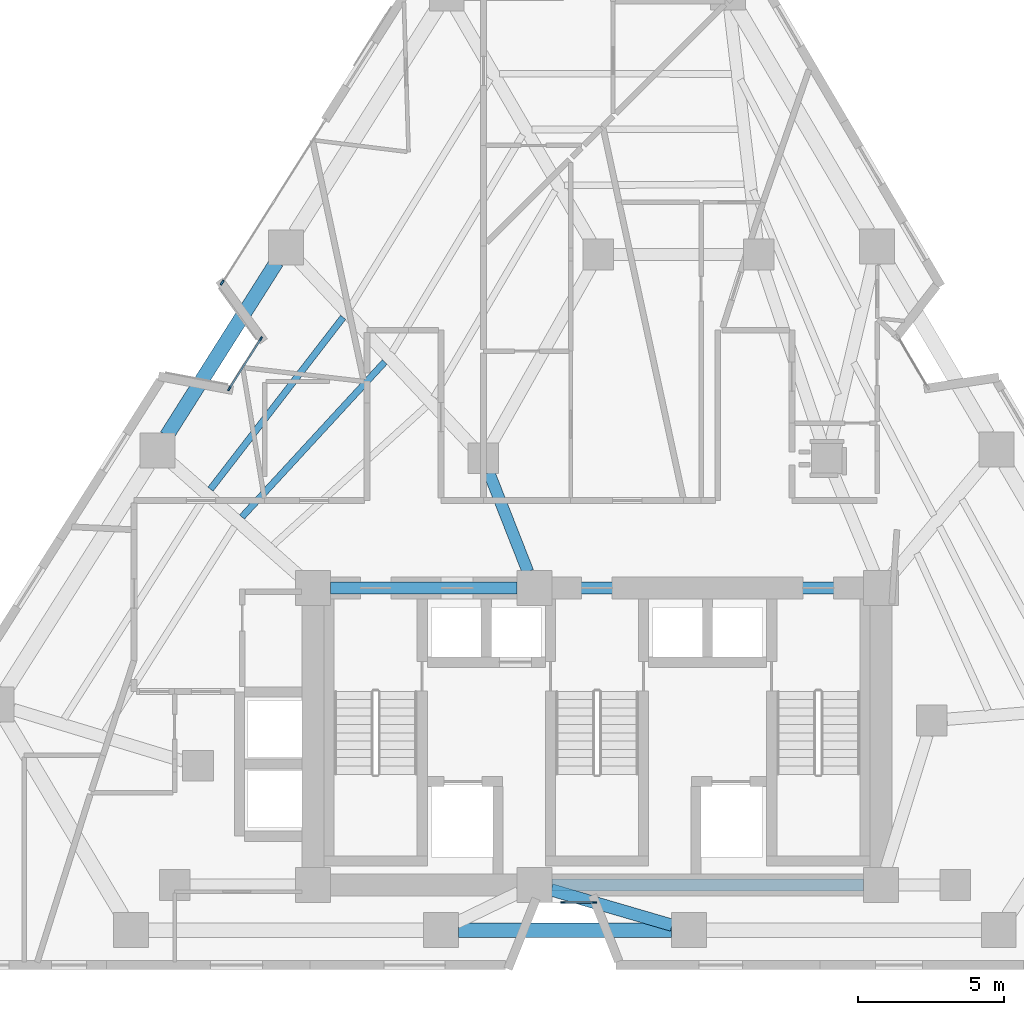
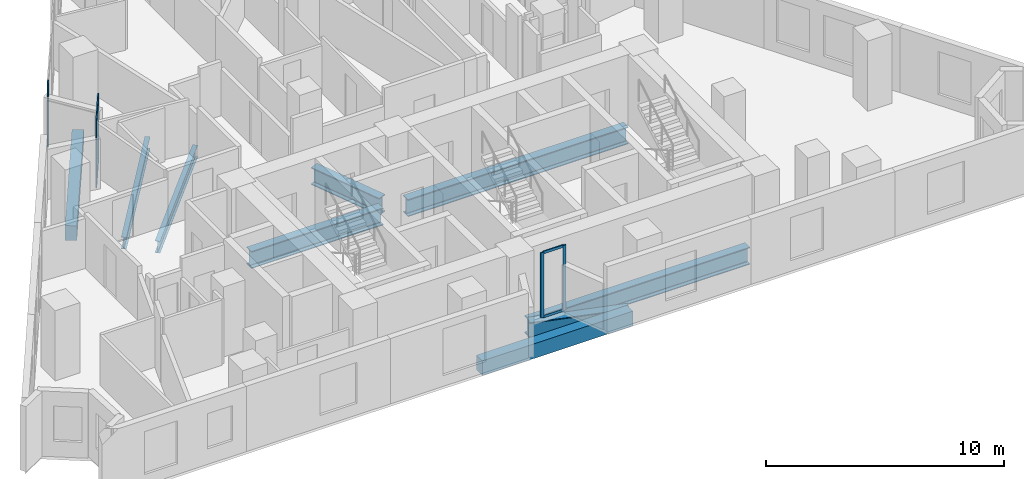
# One storey, part 2 of 12: 9 beams, 9 members, 3 elements without a shape of their own.
"""IFC4 building model written with IfcOpenShell, lengths in metres."""

import ifcopenshell
import ifcopenshell.guid

model = None  # the IFC model being written
_history = None  # IfcOwnerHistory: only IFC2X3 demands one
_inside = {}  # id of a spatial element -> (the spatial element, [elements in it])
_under = {}  # id of a project, library or spatial element -> (it, [spatial elements below it])
_declared = {}  # id of a project -> (the project, [libraries it declares])
_typed = {}  # id of a type object -> (the type object, [elements of that type])
_made_of = {}  # id of a material, layer set ... -> (it, [elements and type objects made of it])


def new_model(schema):
    """Start an empty IFC model of exactly this schema.

    Asked for "IFC4X3", IfcOpenShell would pick the latest addendum, in which some entities
    have other attributes; the version numbers below select the first issue.
    IFC2X3 requires an IfcOwnerHistory on every rooted entity: one is made here for all.
    """
    global model, _history
    if schema == "IFC4X3":
        model = ifcopenshell.file(schema_version=(4, 3, 0, 0))
    else:
        model = ifcopenshell.file(schema=schema)
    _inside.clear()
    _under.clear()
    _declared.clear()
    _typed.clear()
    _made_of.clear()
    _history = None
    if model.schema == "IFC2X3":
        org = make("IfcOrganization", Name="unknown")
        user = make(
            "IfcPersonAndOrganization",
            ThePerson=make("IfcPerson", FamilyName="unknown"),
            TheOrganization=org,
        )
        app = make(
            "IfcApplication",
            ApplicationDeveloper=org,
            Version="unknown",
            ApplicationFullName="unknown",
            ApplicationIdentifier="unknown",
        )
        _history = make(
            "IfcOwnerHistory",
            OwningUser=user,
            OwningApplication=app,
            ChangeAction="ADDED",
            CreationDate=0,
        )
    return model


def make(cls, **values):
    """One entity of the class cls with the attributes given. An attribute that is None is left unset."""
    return model.create_entity(
        cls, **{name: value for name, value in values.items() if value is not None}
    )


def rooted(cls, **values):
    """An entity with a GlobalId (a new one), such as an element, a storey or a relation."""
    return make(cls, GlobalId=ifcopenshell.guid.new(), OwnerHistory=_history, **values)


def si_unit(unit_type, name, prefix=None):
    """IfcSIUnit, for example si_unit("LENGTHUNIT", "METRE", prefix="MILLI")."""
    return make("IfcSIUnit", UnitType=unit_type, Prefix=prefix, Name=name)


def assignment(units):
    """IfcUnitAssignment: the units of a project."""
    return None if units is None else make("IfcUnitAssignment", Units=units)


def point(xyz):
    """IfcCartesianPoint."""
    return None if xyz is None else make("IfcCartesianPoint", Coordinates=xyz)


def direction(xyz):
    """IfcDirection."""
    return None if xyz is None else make("IfcDirection", DirectionRatios=xyz)


def frame(location, z_axis=None, x_axis=None):
    """IfcAxis2Placement3D, a coordinate frame: its origin and axes. An axis left out is left unset."""
    return make(
        "IfcAxis2Placement3D",
        Location=point(location),
        Axis=direction(z_axis),
        RefDirection=direction(x_axis),
    )


def frame_2d(location, x_axis=None):
    """IfcAxis2Placement2D, a coordinate frame in the plane: its origin and x axis."""
    return make(
        "IfcAxis2Placement2D", Location=point(location), RefDirection=direction(x_axis)
    )


def origin():
    """The frame at (0, 0, 0) with its axes left unset."""
    return frame((0.0, 0.0, 0.0))


def origin_2d():
    """The frame at (0, 0) in the plane with its x axis left unset."""
    return frame_2d((0.0, 0.0))


def place(relative_to, where):
    """IfcLocalPlacement: puts the frame where relative to a parent placement (None: the world)."""
    return make(
        "IfcLocalPlacement", PlacementRelTo=relative_to, RelativePlacement=where
    )


def context(
    kind, dimensions, precision=None, world=None, true_north=None, identifier=None
):
    """IfcGeometricRepresentationContext, for example the 3D "Model" context."""
    return make(
        "IfcGeometricRepresentationContext",
        ContextIdentifier=identifier,
        ContextType=kind,
        CoordinateSpaceDimension=dimensions,
        Precision=precision,
        WorldCoordinateSystem=world,
        TrueNorth=true_north,
    )


def subcontext(parent, identifier, kind, view, scale=None):
    """IfcGeometricRepresentationSubContext, for example "Body" below "Model"."""
    return make(
        "IfcGeometricRepresentationSubContext",
        ContextIdentifier=identifier,
        ContextType=kind,
        ParentContext=parent,
        TargetScale=scale,
        TargetView=view,
    )


def project(units=None, contexts=None):
    """IfcProject with its units and contexts."""
    return rooted(
        "IfcProject",
        Name="project",
        RepresentationContexts=contexts,
        UnitsInContext=assignment(units),
    )


def spatial(cls, under=None, at=None, **own):
    """A site, building, storey or space (cls), placed at a placement, below another one or the project."""
    s = rooted(cls, ObjectPlacement=at, **own)
    if under is not None:
        _under.setdefault(under.id(), (under, []))[1].append(s)
    return s


def profile(cls, at=None, kind="AREA", **sizes):
    """A parametric profile (cls). Its sizes go by their IFC names, for example OverallWidth=200.0."""
    return make(cls, ProfileType=kind, Position=at, **sizes)


def rectangle(**sizes):
    """IfcRectangleProfileDef."""
    return profile("IfcRectangleProfileDef", **sizes)


def i_section(**sizes):
    """IfcIShapeProfileDef."""
    return profile("IfcIShapeProfileDef", **sizes)


def extrude(swept, where, along, depth):
    """IfcExtrudedAreaSolid: the profile swept, set in the frame where, extruded along a direction by depth."""
    return make(
        "IfcExtrudedAreaSolid",
        SweptArea=swept,
        Position=where,
        ExtrudedDirection=direction(along),
        Depth=depth,
    )


def shape(context_of_items, identifier, shape_type, items):
    """IfcShapeRepresentation: the items that make up one representation, for example the "Body"."""
    return make(
        "IfcShapeRepresentation",
        ContextOfItems=context_of_items,
        RepresentationIdentifier=identifier,
        RepresentationType=shape_type,
        Items=items,
    )


def material(Name=None, Category=None):
    """IfcMaterial."""
    return make("IfcMaterial", Name=Name, Category=Category)


def layer(
    of_material, thickness, ventilated=None, Name=None, Category=None, Priority=None
):
    """IfcMaterialLayer: one layer of a wall or slab, of a material (None: an air gap)."""
    return make(
        "IfcMaterialLayer",
        Material=of_material,
        LayerThickness=thickness,
        IsVentilated=ventilated,
        Name=Name,
        Category=Category,
        Priority=Priority,
    )


def layer_set(layers, Name=None):
    """IfcMaterialLayerSet."""
    return make("IfcMaterialLayerSet", MaterialLayers=layers, LayerSetName=Name)


def material_profile(
    of_material, cross_section, Name=None, Category=None, Priority=None
):
    """IfcMaterialProfile: a cross section and its material."""
    return make(
        "IfcMaterialProfile",
        Name=Name,
        Material=of_material,
        Profile=cross_section,
        Priority=Priority,
        Category=Category,
    )


def profile_set(profiles, Name=None, composite=None):
    """IfcMaterialProfileSet."""
    return make(
        "IfcMaterialProfileSet",
        Name=Name,
        MaterialProfiles=profiles,
        CompositeProfile=composite,
    )


def made_of(thing, what):
    """Note that an element or type object is made of a material, layer set ...; save() writes the relation."""
    if what is not None:
        _made_of.setdefault(what.id(), (what, []))[1].append(thing)
    return thing


def type_object(cls, material=None, **own):
    """A type object (cls), such as IfcWallType, which elements share."""
    return made_of(rooted(cls, **own), material)


def element(
    cls,
    number,
    at=None,
    inside=None,
    cuts=None,
    type_object=None,
    material=None,
    context=None,
    identifier="Body",
    shape_type=None,
    held_by="IfcProductDefinitionShape",
    body=None,
    shapes=None,
    **own,
):
    """One element of the class cls, such as IfcWall. Its Tag is "e" and its number.

    at: its placement. inside: the storey or other place that contains it. cuts: it is an
    opening in that element (IfcRelVoidsElement). A single representation is given by context,
    identifier, shape_type and body (its items); several are given by shapes. held_by: the class
    of the entity that holds the representations. save() writes the other relations.
    """
    e = rooted(cls, Tag="e%d" % number, ObjectPlacement=at, **own)
    if body is not None:
        shapes = [shape(context, identifier, shape_type, body)]
    if shapes is not None:
        e.Representation = make(held_by, Representations=shapes)
    if inside is not None:
        _inside.setdefault(inside.id(), (inside, []))[1].append(e)
    if cuts is not None:
        rooted(
            "IfcRelVoidsElement", RelatingBuildingElement=cuts, RelatedOpeningElement=e
        )
    if type_object is not None:
        _typed.setdefault(type_object.id(), (type_object, []))[1].append(e)
    return made_of(e, material)


def aggregate(whole, parts):
    """IfcRelAggregates: a whole, such as a stair, and the parts it consists of."""
    return rooted("IfcRelAggregates", RelatingObject=whole, RelatedObjects=parts)


def save(model, path):
    """Write the relations noted so far, then the file.

    IfcRelAggregates (storeys below a building ...), IfcRelContainedInSpatialStructure (elements
    in a storey), IfcRelDefinesByType, IfcRelAssociatesMaterial and IfcRelDeclares: one each for
    every whole, place, type object, material and project.
    """
    for whole, parts in _under.values():
        aggregate(whole, parts)
    for where, things in _inside.values():
        rooted(
            "IfcRelContainedInSpatialStructure",
            RelatedElements=things,
            RelatingStructure=where,
        )
    for kind, things in _typed.values():
        rooted("IfcRelDefinesByType", RelatedObjects=things, RelatingType=kind)
    for what, things in _made_of.values():
        rooted("IfcRelAssociatesMaterial", RelatedObjects=things, RelatingMaterial=what)
    for by, libraries in _declared.values():
        rooted("IfcRelDeclares", RelatingContext=by, RelatedDefinitions=libraries)
    model.write(path)


model = new_model("IFC4")

# Units and contexts
model_context = context("Model", 3, precision=1e-05, world=origin(), true_north=direction((0.0, 1.0)))
body_context = subcontext(model_context, "Body", "Model", "MODEL_VIEW")
ifc_project = project(units=[si_unit("LENGTHUNIT", "METRE"), si_unit("AREAUNIT", "SQUARE_METRE"), si_unit("VOLUMEUNIT", "CUBIC_METRE"), si_unit("PLANEANGLEUNIT", "RADIAN"), si_unit("MASSUNIT", "GRAM", prefix="KILO")], contexts=[model_context])

# Site, building, storey
site_placement = place(None, origin())
site = spatial("IfcSite", under=ifc_project, at=site_placement, CompositionType="ELEMENT")
building_placement = place(site_placement, origin())
building = spatial("IfcBuilding", under=site, at=building_placement, Name="Almagre Mirador Tower", CompositionType="ELEMENT")
storey_placement = place(building_placement, frame((0.0, 0.0, 117.60009765625)))
storey = spatial("IfcBuildingStorey", under=building, at=storey_placement, Name="L29", CompositionType="ELEMENT", Elevation=117.60009765625)

# Beams
ifc_material_1 = material(Name="Steel ASTM A992 Grade 50", Category="steel")
ifc_material_profile_1 = material_profile(ifc_material_1, i_section(OverallWidth=0.22802734375, OverallDepth=0.60791015625, WebThickness=0.01123046875, FlangeThickness=0.017333984375, FilletRadius=0.02001953125, at=origin_2d()), Name="W24X76")
ifc_profile_set_1 = profile_set([ifc_material_profile_1], Name="Steel ASTM A992 Grade 50")
beam_type_1 = type_object("IfcBeamType", Name="BM-JST-W24X76", PredefinedType="JOIST", material=ifc_profile_set_1)
beam_1_placement = place(storey_placement, frame((28.585205078125, 24.04150390625, -0.55419921875), z_axis=(-0.611154781885, -0.791511107047, 0.0), x_axis=(0.791511107047, -0.611154781885, 0.0)))
element("IfcBeam", 1, at=beam_1_placement, inside=storey, type_object=beam_type_1, Name="L29 secondary floor joist PC10-PC11.1", PredefinedType="JOIST", context=body_context, shape_type="SweptSolid", body=[
    extrude(i_section(OverallWidth=0.22802734375, OverallDepth=0.60791015625, WebThickness=0.01123046875, FlangeThickness=0.017333984375, FilletRadius=0.02001953125, at=origin_2d()), origin(), (0.0, 0.0, 1.0), 7.45458984375),
])
beam_2_placement = place(storey_placement, frame((30.013671875, 22.511474609375, -0.55419921875), z_axis=(-0.677434935898, -0.735582699378, 0.0), x_axis=(0.735582699378, -0.677434935898, 0.0)))
element("IfcBeam", 2, at=beam_2_placement, inside=storey, type_object=beam_type_1, Name="L29 secondary floor joist PC10-PC11.2", PredefinedType="JOIST", context=body_context, shape_type="SweptSolid", body=[
    extrude(i_section(OverallWidth=0.22802734375, OverallDepth=0.60791015625, WebThickness=0.01123046875, FlangeThickness=0.017333984375, FilletRadius=0.02001953125, at=origin_2d()), origin(), (0.0, 0.0, 1.0), 7.238525390625),
])
ifc_material_2 = material(Name="Precast concrete C50/60", Category="concrete")
ifc_material_profile_2 = material_profile(ifc_material_2, rectangle(XDim=0.5, YDim=0.75, at=origin_2d()), Name="RC500X750")
ifc_profile_set_2 = profile_set([ifc_material_profile_2], Name="Precast concrete C50/60")
beam_type_2 = type_object("IfcBeamType", Name="BM-SPN-RC500X750", PredefinedType="SPANDREL", material=ifc_profile_set_2)
beam_3_placement = place(storey_placement, frame((32.5439453125, 3.0, -0.625), z_axis=(1.0, 0.0, 0.0), x_axis=(0.0, 1.0, 0.0)))
element("IfcBeam", 3, at=beam_3_placement, inside=storey, type_object=beam_type_2, Name="L29 perimeter spandrel beam PC02-PC03", PredefinedType="SPANDREL", context=body_context, shape_type="SweptSolid", body=[
    extrude(rectangle(XDim=0.5, YDim=0.75, at=origin_2d()), origin(), (0.0, 0.0, 1.0), 7.31201171875),
])
beam_4_placement = place(storey_placement, frame((26.301025390625, 25.93896484375, -0.625), z_axis=(-0.534879207885, -0.844928537198, 0.0), x_axis=(0.844928537198, -0.534879207885, 0.0)))
element("IfcBeam", 4, at=beam_4_placement, inside=storey, type_object=beam_type_2, Name="L29 perimeter spandrel beam PC10-PC11", PredefinedType="SPANDREL", context=body_context, shape_type="SweptSolid", body=[
    extrude(rectangle(XDim=0.5, YDim=0.75, at=origin_2d()), origin(), (0.0, 0.0, 1.0), 7.05615234375),
])
ifc_material_3 = material(Name="Steel ASTM A992 Grade 50", Category="steel")
ifc_material_profile_3 = material_profile(ifc_material_3, i_section(OverallWidth=0.404052734375, OverallDepth=0.884033203125, WebThickness=0.0244140625, FlangeThickness=0.0439453125, FilletRadius=0.02490234375, at=origin_2d()), Name="W33X291")
ifc_profile_set_3 = profile_set([ifc_material_profile_3], Name="Steel ASTM A992 Grade 50")
beam_type_3 = type_object("IfcBeamType", Name="BM-STL-W33X291", PredefinedType="BEAM", material=ifc_profile_set_3)
beam_5_placement = place(storey_placement, frame((35.75, 4.550048828125, -0.692138671875), z_axis=(1.0, 0.0, 0.0), x_axis=(0.0, 1.0, 0.0)))
element("IfcBeam", 5, at=beam_5_placement, inside=storey, type_object=beam_type_3, Name="L29 core tie girder CC2-CC3", PredefinedType="BEAM", context=body_context, shape_type="SweptSolid", body=[
    extrude(i_section(OverallWidth=0.404052734375, OverallDepth=0.884033203125, WebThickness=0.0244140625, FlangeThickness=0.0439453125, FilletRadius=0.02490234375, at=origin_2d()), origin(), (0.0, 0.0, 1.0), 10.699951171875),
])
beam_6_placement = place(storey_placement, frame((28.14990234375, 14.75, -0.692138671875), z_axis=(1.0, 0.0, 0.0), x_axis=(0.0, 1.0, 0.0)))
element("IfcBeam", 6, at=beam_6_placement, inside=storey, type_object=beam_type_3, Name="L29 core tie girder CC4-CC5", PredefinedType="BEAM", context=body_context, shape_type="SweptSolid", body=[
    extrude(i_section(OverallWidth=0.404052734375, OverallDepth=0.884033203125, WebThickness=0.0244140625, FlangeThickness=0.0439453125, FilletRadius=0.02490234375, at=origin_2d()), origin(), (0.0, 0.0, 1.0), 6.400146484375),
])
beam_7_placement = place(storey_placement, frame((35.75, 14.75, -0.692138671875), z_axis=(1.0, 0.0, 0.0), x_axis=(0.0, 1.0, 0.0)))
element("IfcBeam", 7, at=beam_7_placement, inside=storey, type_object=beam_type_3, Name="L29 core tie girder CC5-CC6", PredefinedType="BEAM", context=body_context, shape_type="SweptSolid", body=[
    extrude(i_section(OverallWidth=0.404052734375, OverallDepth=0.884033203125, WebThickness=0.0244140625, FlangeThickness=0.0439453125, FilletRadius=0.02490234375, at=origin_2d()), origin(), (0.0, 0.0, 1.0), 10.699951171875),
])
beam_8_placement = place(storey_placement, frame((33.592041015625, 18.71142578125, -0.692138671875), z_axis=(0.365997304164, -0.930615910752, 0.0), x_axis=(0.930615910752, 0.365997304164, 0.0)))
element("IfcBeam", 8, at=beam_8_placement, inside=storey, type_object=beam_type_3, Name="L29 core tie girder MC8-CC5", PredefinedType="BEAM", context=body_context, shape_type="SweptSolid", body=[
    extrude(i_section(OverallWidth=0.404052734375, OverallDepth=0.884033203125, WebThickness=0.0244140625, FlangeThickness=0.0439453125, FilletRadius=0.02490234375, at=origin_2d()), origin(), (0.0, 0.0, 1.0), 3.65673828125),
])
ifc_material_4 = material(Name="Steel ASTM A992 Grade 50", Category="steel")
ifc_material_profile_4 = material_profile(ifc_material_4, i_section(OverallWidth=0.423095703125, OverallDepth=0.947998046875, WebThickness=0.02392578125, FlangeThickness=0.042724609375, FilletRadius=0.028076171875, at=origin_2d()), Name="W36X302")
ifc_profile_set_4 = profile_set([ifc_material_profile_4], Name="Steel ASTM A992 Grade 50")
beam_type_4 = type_object("IfcBeamType", Name="BM-STL-W36X302", PredefinedType="BEAM", material=ifc_profile_set_4)
beam_9_placement = place(storey_placement, frame((39.880126953125, 3.168212890625, -0.72412109375), z_axis=(-0.959878605081, 0.280415875991, 0.0), x_axis=(-0.280415875991, -0.959878605081, 0.0)))
element("IfcBeam", 9, at=beam_9_placement, inside=storey, type_object=beam_type_4, Name="L29 radial floor girder PC03-CC2", PredefinedType="BEAM", context=body_context, shape_type="SweptSolid", body=[
    extrude(i_section(OverallWidth=0.423095703125, OverallDepth=0.947998046875, WebThickness=0.02392578125, FlangeThickness=0.042724609375, FilletRadius=0.028076171875, at=origin_2d()), origin(), (0.0, 0.0, 1.0), 4.327880859375),
])

# Curtain wall, members
ifc_material_5 = material(Name="Black anodized aluminium", Category="aluminium")
ifc_layer_1 = layer(ifc_material_5, 0.169921875)
ifc_layer_set_1 = layer_set([ifc_layer_1], Name="Black anodized aluminium")
curtain_wall_type_1 = type_object("IfcCurtainWallType", Name="CW-CRS-SYS", PredefinedType="NOTDEFINED", material=ifc_layer_set_1)
curtain_wall_1_placement = place(storey_placement, origin())
curtain_wall_1 = element("IfcCurtainWall", 10, at=curtain_wall_1_placement, inside=storey, type_object=curtain_wall_type_1, Name="L29 vertical crease curtain wall 01", PredefinedType="NOTDEFINED")
ifc_material_6 = material(Name="Black anodized aluminium", Category="aluminium")
ifc_material_profile_5 = material_profile(ifc_material_6, rectangle(XDim=0.06005859375, YDim=0.14990234375, at=origin_2d()), Name="CWM60X150")
ifc_profile_set_5 = profile_set([ifc_material_profile_5], Name="Black anodized aluminium")
member_type_1 = type_object("IfcMemberType", Name="MBR-CWM60X150", PredefinedType="MULLION", material=ifc_profile_set_5)
member_1_placement = place(storey_placement, frame((24.674072265625, 21.59228515625, 0.0), z_axis=(0.0, 0.0, 1.0), x_axis=(-0.844919983827, 0.534892719084, 0.0)))
member_1 = element("IfcMember", 11, at=member_1_placement, type_object=member_type_1, Name="CW-4 mullion 1", PredefinedType="MULLION", context=body_context, shape_type="SweptSolid", body=[
    extrude(rectangle(XDim=0.06005859375, YDim=0.14990234375, at=origin_2d()), origin(), (0.0, 0.0, 1.0), 3.349853515625),
])
member_2_placement = place(storey_placement, frame((25.760009765625, 23.3076171875, 0.0), z_axis=(0.0, 0.0, 1.0), x_axis=(-0.844919983827, 0.534892719084, 0.0)))
member_2 = element("IfcMember", 12, at=member_2_placement, type_object=member_type_1, Name="CW-4 mullion 2", PredefinedType="MULLION", context=body_context, shape_type="SweptSolid", body=[
    extrude(rectangle(XDim=0.06005859375, YDim=0.14990234375, at=origin_2d()), origin(), (0.0, 0.0, 1.0), 3.349853515625),
])

curtain_wall_2_placement = place(storey_placement, origin())
curtain_wall_2 = element("IfcCurtainWall", 13, at=curtain_wall_2_placement, inside=storey, type_object=curtain_wall_type_1, Name="L29 vertical crease curtain wall 04", PredefinedType="NOTDEFINED")
member_3_placement = place(storey_placement, frame((37.215087890625, 3.949951171875, 0.0), z_axis=(0.0, 0.0, 1.0), x_axis=(0.0, -1.0, 0.0)))
member_3 = element("IfcMember", 14, at=member_3_placement, type_object=member_type_1, Name="CW-4 mullion 1", PredefinedType="MULLION", context=body_context, shape_type="SweptSolid", body=[
    extrude(rectangle(XDim=0.06005859375, YDim=0.14990234375, at=origin_2d()), origin(), (0.0, 0.0, 1.0), 3.349853515625),
])
member_4_placement = place(storey_placement, frame((36.139892578125, 3.949951171875, 0.0), z_axis=(0.0, 0.0, 1.0), x_axis=(0.0, -1.0, 0.0)))
member_4 = element("IfcMember", 15, at=member_4_placement, type_object=member_type_1, Name="CW-4 mullion 2", PredefinedType="MULLION", context=body_context, shape_type="SweptSolid", body=[
    extrude(rectangle(XDim=0.06005859375, YDim=0.14990234375, at=origin_2d()), origin(), (0.0, 0.0, 1.0), 3.349853515625),
])

# Curtain wall, member
ifc_material_7 = material(Name="Black anodized aluminium", Category="aluminium")
ifc_layer_2 = layer(ifc_material_7, 0.199951171875)
ifc_layer_set_2 = layer_set([ifc_layer_2], Name="Black anodized aluminium")
curtain_wall_type_2 = type_object("IfcCurtainWallType", Name="CW-RES-H-SYS", PredefinedType="NOTDEFINED", material=ifc_layer_set_2)
curtain_wall_3_placement = place(storey_placement, origin())
curtain_wall_3 = element("IfcCurtainWall", 16, at=curtain_wall_3_placement, inside=storey, type_object=curtain_wall_type_2, Name="L29 curtain wall run 02", PredefinedType="NOTDEFINED")
ifc_material_8 = material(Name="Black anodized aluminium", Category="aluminium")
ifc_material_profile_6 = material_profile(ifc_material_8, rectangle(XDim=0.06494140625, YDim=0.179931640625, at=origin_2d()), Name="CWM65X180")
ifc_profile_set_6 = profile_set([ifc_material_profile_6], Name="Black anodized aluminium")
member_type_2 = type_object("IfcMemberType", Name="MBR-CWM65X180", PredefinedType="MULLION", material=ifc_profile_set_6)
member_5_placement = place(storey_placement, frame((24.433349609375, 25.232421875, 0.0), z_axis=(0.0, 0.0, 1.0), x_axis=(-0.844923540641, 0.534887100678, 0.0)))
member_5 = element("IfcMember", 17, at=member_5_placement, type_object=member_type_2, Name="CW-3 mullion 1", PredefinedType="MULLION", context=body_context, shape_type="SweptSolid", body=[
    extrude(rectangle(XDim=0.06494140625, YDim=0.179931640625, at=origin_2d()), origin(), (0.0, 0.0, 1.0), 3.349853515625),
])
aggregate(curtain_wall_3, [member_5])

# Member
ifc_material_9 = material(Name="Black anodized aluminium", Category="aluminium")
ifc_material_profile_7 = material_profile(ifc_material_9, rectangle(XDim=0.06005859375, YDim=0.1298828125, at=origin_2d()), Name="CWT60X130")
ifc_profile_set_7 = profile_set([ifc_material_profile_7], Name="Black anodized aluminium")
member_type_3 = type_object("IfcMemberType", Name="MBR-CWT60X130", PredefinedType="USERDEFINED", material=ifc_profile_set_7)
member_6_placement = place(storey_placement, frame((24.690185546875, 21.61767578125, 0.02978515625), z_axis=(0.534869273761, 0.844934825881, 0.0), x_axis=(-0.844934825881, 0.534869273761, 0.0)))
member_6 = element("IfcMember", 18, at=member_6_placement, type_object=member_type_3, Name="CW-4 transom 1.1", ObjectType="TRANSOM", PredefinedType="USERDEFINED", context=body_context, shape_type="SweptSolid", body=[
    extrude(rectangle(XDim=0.06005859375, YDim=0.1298828125, at=origin_2d()), origin(), (0.0, 0.0, 1.0), 1.969970703125),
])

member_7_placement = place(storey_placement, frame((24.690185546875, 21.61767578125, 3.31982421875), z_axis=(0.534869273761, 0.844934825881, 0.0), x_axis=(-0.844934825881, 0.534869273761, 0.0)))
member_7 = element("IfcMember", 19, at=member_7_placement, type_object=member_type_3, Name="CW-4 transom 1.2", ObjectType="TRANSOM", PredefinedType="USERDEFINED", context=body_context, shape_type="SweptSolid", body=[
    extrude(rectangle(XDim=0.06005859375, YDim=0.1298828125, at=origin_2d()), origin(), (0.0, 0.0, 1.0), 1.969970703125),
])

aggregate(curtain_wall_1, [member_1, member_2, member_6, member_7])

member_8_placement = place(storey_placement, frame((37.18505859375, 3.949951171875, 0.02978515625), z_axis=(-1.0, 0.0, 0.0), x_axis=(0.0, -1.0, 0.0)))
member_8 = element("IfcMember", 20, at=member_8_placement, type_object=member_type_3, Name="CW-4 transom 1.1", ObjectType="TRANSOM", PredefinedType="USERDEFINED", context=body_context, shape_type="SweptSolid", body=[
    extrude(rectangle(XDim=0.06005859375, YDim=0.1298828125, at=origin_2d()), origin(), (0.0, 0.0, 1.0), 1.01513671875),
])

member_9_placement = place(storey_placement, frame((37.18505859375, 3.949951171875, 3.31982421875), z_axis=(-1.0, 0.0, 0.0), x_axis=(0.0, -1.0, 0.0)))
member_9 = element("IfcMember", 21, at=member_9_placement, type_object=member_type_3, Name="CW-4 transom 1.2", ObjectType="TRANSOM", PredefinedType="USERDEFINED", context=body_context, shape_type="SweptSolid", body=[
    extrude(rectangle(XDim=0.06005859375, YDim=0.1298828125, at=origin_2d()), origin(), (0.0, 0.0, 1.0), 1.01513671875),
])

aggregate(curtain_wall_2, [member_3, member_4, member_8, member_9])

save(model, "model.ifc")
